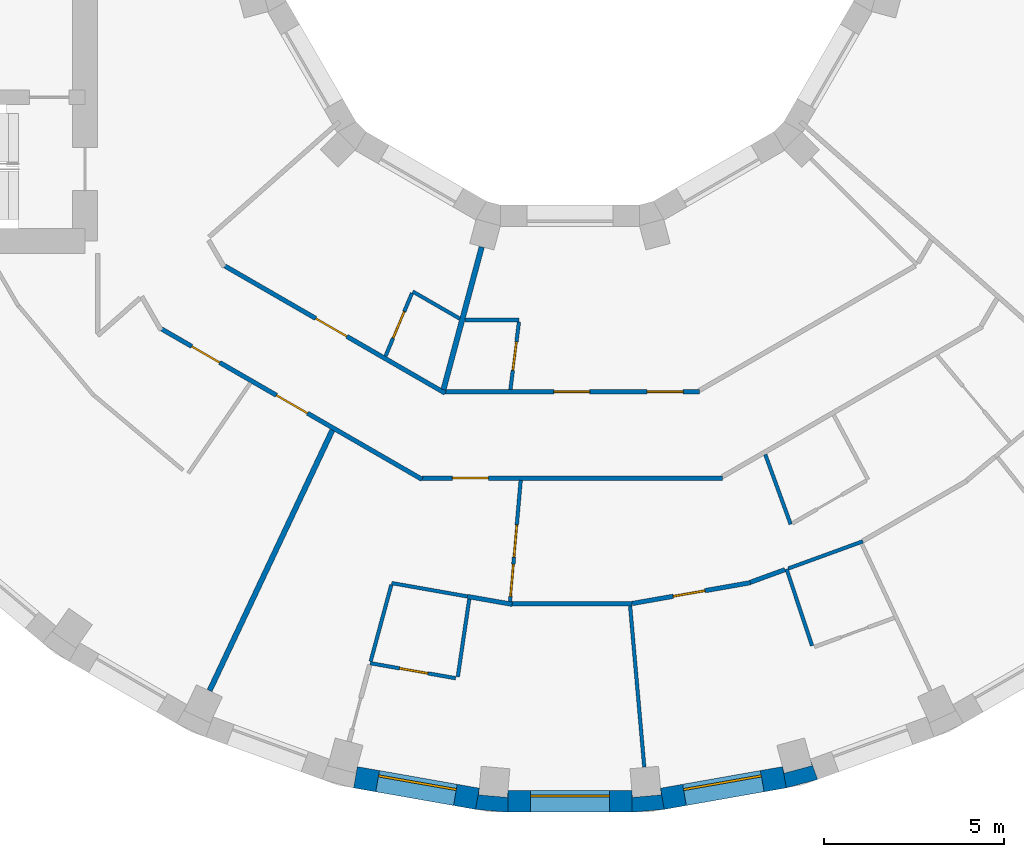
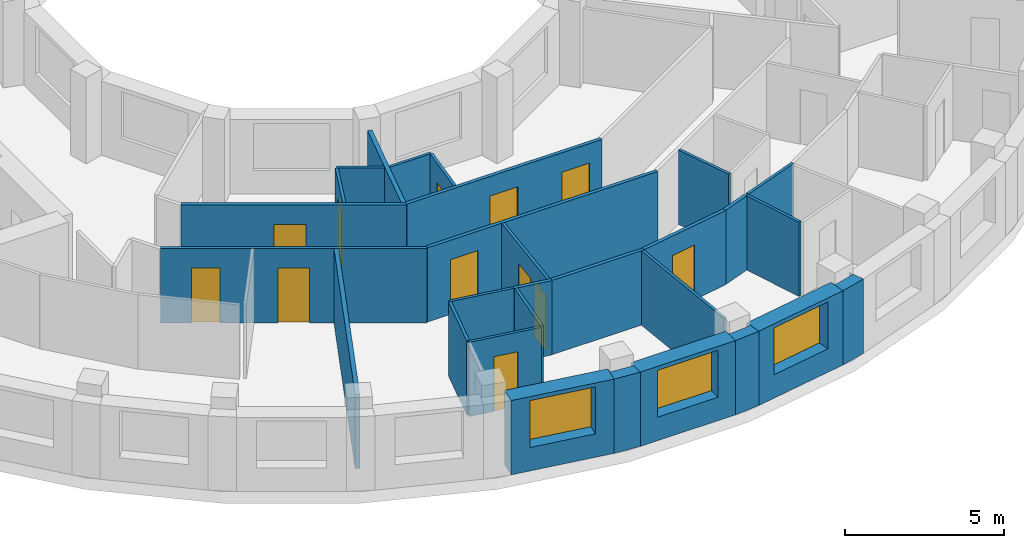
# One storey, part 4 of 13: 29 walls, 12 doors, 3 windows, 15 openings.
"""IFC4 building model written with IfcOpenShell, lengths in metres."""

from ifc_helpers import new_model, si_unit, direction, frame, frame_2d, origin, place, context, subcontext, project, spatial, polyline, rectangle, outline, extrude, material, layer, layer_set, type_object, element, fill, save


model = new_model("IFC4")

# Units and contexts
model_context = context("Model", 3, precision=1e-05, world=origin(), true_north=direction((0.0, 1.0)))
body_context = subcontext(model_context, "Body", "Model", "MODEL_VIEW")
ifc_project = project(units=[si_unit("LENGTHUNIT", "METRE"), si_unit("AREAUNIT", "SQUARE_METRE"), si_unit("VOLUMEUNIT", "CUBIC_METRE"), si_unit("PLANEANGLEUNIT", "RADIAN"), si_unit("MASSUNIT", "GRAM", prefix="KILO")], contexts=[model_context])

# Site, building, storey
site_placement = place(None, origin())
site = spatial("IfcSite", under=ifc_project, at=site_placement, CompositionType="ELEMENT")
building_placement = place(site_placement, origin())
building = spatial("IfcBuilding", under=site, at=building_placement, Name="Saqina Gate Tower", CompositionType="ELEMENT")
storey_placement = place(building_placement, frame((0.0, 0.0, 203.699951171875)))
storey = spatial("IfcBuildingStorey", under=building, at=storey_placement, Name="L58", CompositionType="ELEMENT", Elevation=203.699951171875)

# Walls
ifc_material_1 = material(Name="Brick masonry (buff)", Category="masonry")
wall_type_1 = type_object("IfcWallType", Name="BRICK PIER COPING BUFF", PredefinedType="SOLIDWALL", material=ifc_material_1)
wall_1_placement = place(storey_placement, origin())
element("IfcWall", 1, at=wall_1_placement, inside=storey, type_object=wall_type_1, Name="Pier cap L58 column 27", PredefinedType="SOLIDWALL", context=body_context, shape_type="SweptSolid", body=[
    extrude(outline(polyline([(-2.6259765625, -24.825927734375), (-1.724853515625, -24.90478515625), (-1.724853515625, -24.304931640625), (-1.7412109375, -24.491455078125), (-2.5380859375, -24.421630859375), (-2.521728515625, -24.235107421875), (-2.6259765625, -24.825927734375)])), origin(), (0.0, 0.0, 1.0), 2.85009765625),
])
wall_2_placement = place(storey_placement, origin())
element("IfcWall", 2, at=wall_2_placement, inside=storey, type_object=wall_type_1, Name="Pier cap L58 column 28", PredefinedType="SOLIDWALL", context=body_context, shape_type="SweptSolid", body=[
    extrude(outline(polyline([(1.724853515625, -24.90478515625), (2.6259765625, -24.825927734375), (2.521728515625, -24.235107421875), (2.5380859375, -24.421630859375), (1.7412109375, -24.491455078125), (1.724853515625, -24.304931640625), (1.724853515625, -24.90478515625)])), origin(), (0.0, 0.0, 1.0), 2.85009765625),
])
wall_3_placement = place(storey_placement, origin())
element("IfcWall", 3, at=wall_3_placement, inside=storey, type_object=wall_type_1, Name="Pier cap L58 column 29", PredefinedType="SOLIDWALL", context=body_context, shape_type="SweptSolid", body=[
    extrude(outline(polyline([(6.0234375, -24.22705078125), (6.897216796875, -23.992919921875), (6.69189453125, -23.428955078125), (6.740478515625, -23.610107421875), (5.967529296875, -23.81689453125), (5.919189453125, -23.635986328125), (6.0234375, -24.22705078125)])), origin(), (0.0, 0.0, 1.0), 2.85009765625),
])

# Wall, opening, window
ifc_material_2 = material(Name="Brick masonry (buff)", Category="masonry")
ifc_layer_1 = layer(ifc_material_2, 0.60009765625)
ifc_layer_set_1 = layer_set([ifc_layer_1], Name="FW-BRICK-BUFF")
wall_type_2 = type_object("IfcWallType", Name="FW-BRICK-BUFF", PredefinedType="SOLIDWALL", material=ifc_layer_set_1)
wall_4_placement = place(storey_placement, frame((-5.97119140625, -23.931640625, 0.0), z_axis=(0.0, 0.0, 1.0), x_axis=(0.984814892183, -0.173607684551, 0.0)))
wall_4 = element("IfcWall", 4, at=wall_4_placement, inside=storey, type_object=wall_type_2, Name="Facade wall L58 facet 26", PredefinedType="SOLIDWALL", context=body_context, shape_type="SweptSolid", body=[
    extrude(rectangle(XDim=3.44970703125, YDim=0.60009765625, at=frame_2d((1.724853515625, 0.0))), origin(), (0.0, 0.0, 1.0), 2.85009765625),
])
opening_1_placement = place(wall_4_placement, frame((0.625, 0.0, 0.89990234375)))
opening_1 = element("IfcOpeningElement", 5, at=opening_1_placement, cuts=wall_4, Name="Opening G17-W15", PredefinedType="OPENING", context=body_context, shape_type="SweptSolid", body=[
    extrude(rectangle(XDim=2.199951171875, YDim=1.800048828125, at=frame_2d((1.10009765625, 0.89990234375))), frame((0.0, 0.31201171875, 0.0), z_axis=(0.0, -1.0, 0.0), x_axis=(1.0, 0.0, 0.0)), (0.0, 0.0, 1.0), 0.6240234375),
])
ifc_material_3 = material(Name="Aluminium glazing", Category="aluminium")
window_type = type_object("IfcWindowType", Name="WN-C", PartitioningType="SINGLE_PANEL", PredefinedType="WINDOW", material=ifc_material_3)
window_1_placement = place(opening_1_placement, origin())
window_1 = element("IfcWindow", 6, at=window_1_placement, inside=storey, type_object=window_type, Name="Window L58 facet 26", OverallHeight=1.800048828125, OverallWidth=2.199951171875, PartitioningType="SINGLE_PANEL", PredefinedType="WINDOW", context=body_context, shape_type="SweptSolid", body=[
    extrude(rectangle(XDim=2.199951171875, YDim=1.800048828125, at=frame_2d((1.10009765625, 0.89990234375))), frame((0.0, 0.179931640625, 0.0), z_axis=(0.0, -1.0, 0.0), x_axis=(1.0, 0.0, 0.0)), (0.0, 0.0, 1.0), 0.06005859375),
])
fill(opening_1, window_1)

wall_5_placement = place(storey_placement, frame((-1.724853515625, -24.60498046875, 0.0), z_axis=(0.0, 0.0, 1.0), x_axis=(1.0, 0.0, 0.0)))
wall_5 = element("IfcWall", 7, at=wall_5_placement, inside=storey, type_object=wall_type_2, Name="Facade wall L58 facet 27", PredefinedType="SOLIDWALL", context=body_context, shape_type="SweptSolid", body=[
    extrude(rectangle(XDim=3.44970703125, YDim=0.60009765625, at=frame_2d((1.724853515625, 0.0))), origin(), (0.0, 0.0, 1.0), 2.85009765625),
])
opening_2_placement = place(wall_5_placement, frame((0.625, 0.0, 0.89990234375)))
opening_2 = element("IfcOpeningElement", 8, at=opening_2_placement, cuts=wall_5, Name="Opening G17-W16", PredefinedType="OPENING", context=body_context, shape_type="SweptSolid", body=[
    extrude(rectangle(XDim=2.199951171875, YDim=1.800048828125, at=frame_2d((1.10009765625, 0.89990234375))), frame((0.0, 0.31201171875, 0.0), z_axis=(0.0, -1.0, 0.0), x_axis=(1.0, 0.0, 0.0)), (0.0, 0.0, 1.0), 0.6240234375),
])
window_2_placement = place(opening_2_placement, origin())
window_2 = element("IfcWindow", 9, at=window_2_placement, inside=storey, type_object=window_type, Name="Window L58 facet 27", OverallHeight=1.800048828125, OverallWidth=2.199951171875, PartitioningType="SINGLE_PANEL", PredefinedType="WINDOW", context=body_context, shape_type="SweptSolid", body=[
    extrude(rectangle(XDim=2.199951171875, YDim=1.800048828125, at=frame_2d((1.10009765625, 0.89990234375))), frame((0.0, 0.179931640625, 0.0), z_axis=(0.0, -1.0, 0.0), x_axis=(1.0, 0.0, 0.0)), (0.0, 0.0, 1.0), 0.06005859375),
])
fill(opening_2, window_2)

wall_6_placement = place(storey_placement, frame((2.573974609375, -24.530517578125, 0.0), z_axis=(0.0, 0.0, 1.0), x_axis=(0.984814892183, 0.173607684551, 0.0)))
wall_6 = element("IfcWall", 10, at=wall_6_placement, inside=storey, type_object=wall_type_2, Name="Facade wall L58 facet 28", PredefinedType="SOLIDWALL", context=body_context, shape_type="SweptSolid", body=[
    extrude(rectangle(XDim=3.44970703125, YDim=0.60009765625, at=frame_2d((1.724853515625, 0.0))), origin(), (0.0, 0.0, 1.0), 2.85009765625),
])
opening_3_placement = place(wall_6_placement, frame((0.625, 0.0, 0.89990234375)))
opening_3 = element("IfcOpeningElement", 11, at=opening_3_placement, cuts=wall_6, Name="Opening G17-W17", PredefinedType="OPENING", context=body_context, shape_type="SweptSolid", body=[
    extrude(rectangle(XDim=2.199951171875, YDim=1.800048828125, at=frame_2d((1.10009765625, 0.89990234375))), frame((0.0, 0.31201171875, 0.0), z_axis=(0.0, -1.0, 0.0), x_axis=(1.0, 0.0, 0.0)), (0.0, 0.0, 1.0), 0.6240234375),
])
window_3_placement = place(opening_3_placement, origin())
window_3 = element("IfcWindow", 12, at=window_3_placement, inside=storey, type_object=window_type, Name="Window L58 facet 28", OverallHeight=1.800048828125, OverallWidth=2.199951171875, PartitioningType="SINGLE_PANEL", PredefinedType="WINDOW", context=body_context, shape_type="SweptSolid", body=[
    extrude(rectangle(XDim=2.199951171875, YDim=1.800048828125, at=frame_2d((1.10009765625, 0.89990234375))), frame((0.0, 0.179931640625, 0.0), z_axis=(0.0, -1.0, 0.0), x_axis=(1.0, 0.0, 0.0)), (0.0, 0.0, 1.0), 0.06005859375),
])
fill(opening_3, window_3)

# Walls
ifc_material_4 = material(Name="Gypsum board on steel studs, 100 mm", Category="steel")
ifc_layer_2 = layer(ifc_material_4, 0.10009765625)
ifc_layer_set_2 = layer_set([ifc_layer_2], Name="PARTITION 100")
wall_type_3 = type_object("IfcWallType", Name="PARTITION 100", PredefinedType="PARTITIONING", material=ifc_layer_set_2)
wall_7_placement = place(storey_placement, frame((1.6767578125, -19.167236328125, 0.0), z_axis=(0.0, 0.0, 1.0), x_axis=(0.087521667832, -0.996162616072, 0.0)))
element("IfcWall", 13, at=wall_7_placement, inside=storey, type_object=wall_type_3, Name="PARTITION PW3-01", PredefinedType="PARTITIONING", context=body_context, shape_type="SweptSolid", body=[
    extrude(rectangle(XDim=4.49951171875, YDim=0.10009765625, at=frame_2d((2.249755859375, 0.0))), origin(), (0.0, 0.0, 1.0), 2.85009765625),
])
wall_8_placement = place(storey_placement, frame((6.032958984375, -18.135009765625, 0.0), z_axis=(0.0, 0.0, 1.0), x_axis=(0.316032342538, -0.948748416847, 0.0)))
element("IfcWall", 14, at=wall_8_placement, inside=storey, type_object=wall_type_3, Name="PARTITION PW3-04", PredefinedType="PARTITIONING", context=body_context, shape_type="SweptSolid", body=[
    extrude(rectangle(XDim=2.248779296875, YDim=0.10009765625, at=frame_2d((1.12451171875, 0.0))), origin(), (0.0, 0.0, 1.0), 2.85009765625),
])
wall_9_placement = place(storey_placement, frame((5.439453125, -14.94384765625, 0.0), z_axis=(0.0, 0.0, 1.0), x_axis=(0.341828386263, -0.939762392493, 0.0)))
element("IfcWall", 15, at=wall_9_placement, inside=storey, type_object=wall_type_3, Name="PARTITION PW3-05", PredefinedType="PARTITIONING", context=body_context, shape_type="SweptSolid", body=[
    extrude(rectangle(XDim=2.067626953125, YDim=0.10009765625, at=frame_2d((1.03369140625, 0.0))), origin(), (0.0, 0.0, 1.0), 2.85009765625),
])
wall_10_placement = place(storey_placement, frame((-4.376953125, -10.406005859375, 0.0), z_axis=(0.0, 0.0, 1.0), x_axis=(0.86612113491, -0.499834152157, 0.0)))
element("IfcWall", 16, at=wall_10_placement, inside=storey, type_object=wall_type_3, Name="PARTITION PW3-28", PredefinedType="PARTITIONING", context=body_context, shape_type="SweptSolid", body=[
    extrude(rectangle(XDim=1.513671875, YDim=0.10009765625, at=frame_2d((0.7568359375, 0.0))), origin(), (0.0, 0.0, 1.0), 2.85009765625),
])

# Wall, opening, door
wall_11_placement = place(storey_placement, frame((-5.56103515625, -20.75390625, 0.0), z_axis=(0.0, 0.0, 1.0), x_axis=(0.984794734974, -0.173721990456, 0.0)))
wall_11 = element("IfcWall", 17, at=wall_11_placement, inside=storey, type_object=wall_type_3, Name="PARTITION PW3-35", PredefinedType="PARTITIONING", context=body_context, shape_type="SweptSolid", body=[
    extrude(rectangle(XDim=2.418701171875, YDim=0.10009765625, at=frame_2d((1.20947265625, 0.0))), origin(), (0.0, 0.0, 1.0), 2.85009765625),
])
opening_4_placement = place(wall_11_placement, frame((0.833740234375, 0.0, 0.0)))
opening_4 = element("IfcOpeningElement", 18, at=opening_4_placement, cuts=wall_11, Name="Opening G17-D32", PredefinedType="OPENING", context=body_context, shape_type="SweptSolid", body=[
    extrude(rectangle(XDim=0.800048828125, YDim=2.10009765625, at=frame_2d((0.39990234375, 1.050048828125))), frame((0.0, 0.06201171875, 0.0), z_axis=(0.0, -1.0, 0.0), x_axis=(1.0, 0.0, 0.0)), (0.0, 0.0, 1.0), 0.1240234375),
])
ifc_material_5 = material(Name="Timber door leaf, 800 mm", Category="wood")
door_type_1 = type_object("IfcDoorType", Name="DOOR 800 TIMBER", OperationType="SINGLE_SWING_LEFT", PredefinedType="DOOR", material=ifc_material_5)
door_1_placement = place(opening_4_placement, frame((0.800048828125, 0.0, 0.0), z_axis=(0.0, 0.0, 1.0), x_axis=(-1.0, 0.0, 0.0)))
door_1 = element("IfcDoor", 19, at=door_1_placement, inside=storey, type_object=door_type_1, Name="DOOR G17-D32", OperationType="SINGLE_SWING_LEFT", OverallHeight=2.10009765625, OverallWidth=0.800048828125, PredefinedType="DOOR", context=body_context, shape_type="SweptSolid", body=[
    extrude(rectangle(XDim=0.800048828125, YDim=2.10009765625, at=frame_2d((0.39990234375, 1.050048828125))), frame((0.0, 0.02490234375, 0.0), z_axis=(0.0, -1.0, 0.0), x_axis=(1.0, 0.0, 0.0)), (0.0, 0.0, 1.0), 0.050048828125),
])
fill(opening_4, door_1)

# Walls
wall_12_placement = place(storey_placement, frame((-4.962890625, -18.524169921875, 0.0), z_axis=(0.0, 0.0, 1.0), x_axis=(0.984783558818, -0.173785333909, 0.0)))
element("IfcWall", 20, at=wall_12_placement, inside=storey, type_object=wall_type_3, Name="PARTITION PW3-36", PredefinedType="PARTITIONING", context=body_context, shape_type="SweptSolid", body=[
    extrude(rectangle(XDim=2.140869140625, YDim=0.10009765625, at=frame_2d((1.0703125, 0.0))), origin(), (0.0, 0.0, 1.0), 2.85009765625),
])
wall_13_placement = place(storey_placement, frame((-2.926025390625, -11.199951171875, 0.0), z_axis=(0.0, 0.0, 1.0), x_axis=(1.0, 0.0, 0.0)))
element("IfcWall", 21, at=wall_13_placement, inside=storey, type_object=wall_type_3, Name="PARTITION PW3-37", PredefinedType="PARTITIONING", context=body_context, shape_type="SweptSolid", body=[
    extrude(rectangle(XDim=1.513916015625, YDim=0.10009765625, at=frame_2d((0.7568359375, 0.0))), origin(), (0.0, 0.0, 1.0), 2.85009765625),
])
wall_14_placement = place(storey_placement, frame((6.080078125, -18.117919921875, 0.0), z_axis=(0.0, 0.0, 1.0), x_axis=(0.939706230865, 0.341982747625, 0.0)))
element("IfcWall", 22, at=wall_14_placement, inside=storey, type_object=wall_type_3, Name="PARTITION PW3-40", PredefinedType="PARTITIONING", context=body_context, shape_type="SweptSolid", body=[
    extrude(rectangle(XDim=2.2080078125, YDim=0.10009765625, at=frame_2d((1.10400390625, 0.0))), origin(), (0.0, 0.0, 1.0), 2.85009765625),
])

# Wall, opening, door
wall_15_placement = place(storey_placement, frame((-5.134521484375, -12.2060546875, 0.0), z_axis=(0.0, 0.0, 1.0), x_axis=(0.387856236325, 0.921719881495, 0.0)))
wall_15 = element("IfcWall", 23, at=wall_15_placement, inside=storey, type_object=wall_type_3, Name="PARTITION PW3-63", PredefinedType="PARTITIONING", context=body_context, shape_type="SweptSolid", body=[
    extrude(rectangle(XDim=1.90283203125, YDim=0.10009765625, at=frame_2d((0.951416015625, 0.0))), origin(), (0.0, 0.0, 1.0), 2.85009765625),
])
opening_5_placement = place(wall_15_placement, frame((0.544921875, 0.0, 0.0)))
opening_5 = element("IfcOpeningElement", 24, at=opening_5_placement, cuts=wall_15, Name="Opening G17-D30", PredefinedType="OPENING", context=body_context, shape_type="SweptSolid", body=[
    extrude(rectangle(XDim=0.800048828125, YDim=2.10009765625, at=frame_2d((0.39990234375, 1.050048828125))), frame((0.0, 0.06201171875, 0.0), z_axis=(0.0, -1.0, 0.0), x_axis=(1.0, 0.0, 0.0)), (0.0, 0.0, 1.0), 0.1240234375),
])
door_2_placement = place(opening_5_placement, origin())
door_2 = element("IfcDoor", 25, at=door_2_placement, inside=storey, type_object=door_type_1, Name="DOOR G17-D30", OperationType="SINGLE_SWING_LEFT", OverallHeight=2.10009765625, OverallWidth=0.800048828125, PredefinedType="DOOR", context=body_context, shape_type="SweptSolid", body=[
    extrude(rectangle(XDim=0.800048828125, YDim=2.10009765625, at=frame_2d((0.39990234375, 1.050048828125))), frame((0.0, 0.02490234375, 0.0), z_axis=(0.0, -1.0, 0.0), x_axis=(1.0, 0.0, 0.0)), (0.0, 0.0, 1.0), 0.050048828125),
])
fill(opening_5, door_2)

# Walls
wall_16_placement = place(storey_placement, frame((-5.5478515625, -20.705810546875, 0.0), z_axis=(0.0, 0.0, 1.0), x_axis=(0.260881182377, 0.965370917669, 0.0)))
element("IfcWall", 26, at=wall_16_placement, inside=storey, type_object=wall_type_3, Name="PARTITION PW3-64", PredefinedType="PARTITIONING", context=body_context, shape_type="SweptSolid", body=[
    extrude(rectangle(XDim=2.20849609375, YDim=0.10009765625, at=frame_2d((1.104248046875, 0.0))), origin(), (0.0, 0.0, 1.0), 2.85009765625),
])
wall_17_placement = place(storey_placement, frame((-3.12158203125, -21.133544921875, 0.0), z_axis=(0.0, 0.0, 1.0), x_axis=(0.145934022426, 0.989294324809, 0.0)))
element("IfcWall", 27, at=wall_17_placement, inside=storey, type_object=wall_type_3, Name="PARTITION PW3-66", PredefinedType="PARTITIONING", context=body_context, shape_type="SweptSolid", body=[
    extrude(rectangle(XDim=2.188232421875, YDim=0.10009765625, at=frame_2d((1.09423828125, 0.0))), origin(), (0.0, 0.0, 1.0), 2.85009765625),
])

# Wall, opening, door
wall_18_placement = place(storey_placement, frame((-1.65625, -13.137939453125, 0.0), z_axis=(0.0, 0.0, 1.0), x_axis=(0.125060808232, 0.992149078639, 0.0)))
wall_18 = element("IfcWall", 28, at=wall_18_placement, inside=storey, type_object=wall_type_3, Name="PARTITION PW3-67", PredefinedType="PARTITIONING", context=body_context, shape_type="SweptSolid", body=[
    extrude(rectangle(XDim=1.9033203125, YDim=0.10009765625, at=frame_2d((0.95166015625, 0.0))), origin(), (0.0, 0.0, 1.0), 2.85009765625),
])
opening_6_placement = place(wall_18_placement, frame((0.54541015625, 0.0, 0.0)))
opening_6 = element("IfcOpeningElement", 29, at=opening_6_placement, cuts=wall_18, Name="Opening G17-D34", PredefinedType="OPENING", context=body_context, shape_type="SweptSolid", body=[
    extrude(rectangle(XDim=0.800048828125, YDim=2.10009765625, at=frame_2d((0.39990234375, 1.050048828125))), frame((0.0, 0.06201171875, 0.0), z_axis=(0.0, -1.0, 0.0), x_axis=(1.0, 0.0, 0.0)), (0.0, 0.0, 1.0), 0.1240234375),
])
door_3_placement = place(opening_6_placement, frame((0.800048828125, 0.0, 0.0), z_axis=(0.0, 0.0, 1.0), x_axis=(-1.0, 0.0, 0.0)))
door_3 = element("IfcDoor", 30, at=door_3_placement, inside=storey, type_object=door_type_1, Name="DOOR G17-D34", OperationType="SINGLE_SWING_RIGHT", OverallHeight=2.10009765625, OverallWidth=0.800048828125, PredefinedType="DOOR", context=body_context, shape_type="SweptSolid", body=[
    extrude(rectangle(XDim=0.800048828125, YDim=2.10009765625, at=frame_2d((0.39990234375, 1.050048828125))), frame((0.0, 0.02490234375, 0.0), z_axis=(0.0, -1.0, 0.0), x_axis=(1.0, 0.0, 0.0)), (0.0, 0.0, 1.0), 0.050048828125),
])
fill(opening_6, door_3)

# Wall, openings, doors
wall_19_placement = place(storey_placement, frame((-1.66552734375, -19.042724609375, 0.0), z_axis=(0.0, 0.0, 1.0), x_axis=(0.086986657325, 0.99620947669, 0.0)))
wall_19 = element("IfcWall", 31, at=wall_19_placement, inside=storey, type_object=wall_type_3, Name="PARTITION PW3-68", PredefinedType="PARTITIONING", context=body_context, shape_type="SweptSolid", body=[
    extrude(rectangle(XDim=3.393310546875, YDim=0.10009765625, at=frame_2d((1.69677734375, 0.0))), origin(), (0.0, 0.0, 1.0), 2.85009765625),
])
opening_7_placement = place(wall_19_placement, frame((1.24658203125, 0.0, 0.0)))
opening_7 = element("IfcOpeningElement", 32, at=opening_7_placement, cuts=wall_19, Name="Opening G17-D35", PredefinedType="OPENING", context=body_context, shape_type="SweptSolid", body=[
    extrude(rectangle(XDim=0.89990234375, YDim=2.10009765625, at=frame_2d((0.449951171875, 1.050048828125))), frame((0.0, 0.06201171875, 0.0), z_axis=(0.0, -1.0, 0.0), x_axis=(1.0, 0.0, 0.0)), (0.0, 0.0, 1.0), 0.1240234375),
])
opening_8_placement = place(wall_19_placement, frame((0.146728515625, 0.0, 0.0)))
opening_8 = element("IfcOpeningElement", 33, at=opening_8_placement, cuts=wall_19, Name="Opening G17-D36", PredefinedType="OPENING", context=body_context, shape_type="SweptSolid", body=[
    extrude(rectangle(XDim=0.89990234375, YDim=2.10009765625, at=frame_2d((0.449951171875, 1.050048828125))), frame((0.0, 0.06201171875, 0.0), z_axis=(0.0, -1.0, 0.0), x_axis=(1.0, 0.0, 0.0)), (0.0, 0.0, 1.0), 0.1240234375),
])
ifc_material_6 = material(Name="Timber door leaf, 900 mm", Category="wood")
door_type_2 = type_object("IfcDoorType", Name="DOOR 900 TIMBER", OperationType="SINGLE_SWING_LEFT", PredefinedType="DOOR", material=ifc_material_6)
door_4_placement = place(opening_7_placement, frame((0.89990234375, 0.0, 0.0), z_axis=(0.0, 0.0, 1.0), x_axis=(-1.0, 0.0, 0.0)))
door_4 = element("IfcDoor", 34, at=door_4_placement, inside=storey, type_object=door_type_2, Name="DOOR G17-D35", OperationType="SINGLE_SWING_LEFT", OverallHeight=2.10009765625, OverallWidth=0.89990234375, PredefinedType="DOOR", context=body_context, shape_type="SweptSolid", body=[
    extrude(rectangle(XDim=0.89990234375, YDim=2.10009765625, at=frame_2d((0.449951171875, 1.050048828125))), frame((0.0, 0.02490234375, 0.0), z_axis=(0.0, -1.0, 0.0), x_axis=(1.0, 0.0, 0.0)), (0.0, 0.0, 1.0), 0.050048828125),
])
fill(opening_7, door_4)
door_5_placement = place(opening_8_placement, frame((0.89990234375, 0.0, 0.0), z_axis=(0.0, 0.0, 1.0), x_axis=(-1.0, 0.0, 0.0)))
door_5 = element("IfcDoor", 35, at=door_5_placement, inside=storey, type_object=door_type_2, Name="DOOR G17-D36", OperationType="SINGLE_SWING_RIGHT", OverallHeight=2.10009765625, OverallWidth=0.89990234375, PredefinedType="DOOR", context=body_context, shape_type="SweptSolid", body=[
    extrude(rectangle(XDim=0.89990234375, YDim=2.10009765625, at=frame_2d((0.449951171875, 1.050048828125))), frame((0.0, 0.02490234375, 0.0), z_axis=(0.0, -1.0, 0.0), x_axis=(1.0, 0.0, 0.0)), (0.0, 0.0, 1.0), 0.050048828125),
])
fill(opening_8, door_5)

ifc_material_7 = material(Name="Gypsum board on steel studs, 125 mm, fire rated", Category="steel")
ifc_layer_3 = layer(ifc_material_7, 0.125)
ifc_layer_set_3 = layer_set([ifc_layer_3], Name="PARTITION EI 30 125")
wall_type_4 = type_object("IfcWallType", Name="PARTITION EI 30 125", PredefinedType="PARTITIONING", material=ifc_layer_set_3)
wall_20_placement = place(storey_placement, frame((-11.365966796875, -11.451171875, 0.0), z_axis=(0.0, 0.0, 1.0), x_axis=(0.866023369196, -0.500003523994, 0.0)))
wall_20 = element("IfcWall", 36, at=wall_20_placement, inside=storey, type_object=wall_type_4, Name="PARTITION PW1-16", PredefinedType="PARTITIONING", context=body_context, shape_type="SweptSolid", body=[
    extrude(rectangle(XDim=8.37109375, YDim=0.125, at=frame_2d((4.185546875, 0.0))), origin(), (0.0, 0.0, 1.0), 2.85009765625),
])
opening_9_placement = place(wall_20_placement, frame((0.965576171875, 0.0, 0.0)))
opening_9 = element("IfcOpeningElement", 37, at=opening_9_placement, cuts=wall_20, Name="Opening G17-D27", PredefinedType="OPENING", context=body_context, shape_type="SweptSolid", body=[
    extrude(rectangle(XDim=0.89990234375, YDim=2.10009765625, at=frame_2d((0.449951171875, 1.050048828125))), frame((0.0, 0.074462890625, 0.0), z_axis=(0.0, -1.0, 0.0), x_axis=(1.0, 0.0, 0.0)), (0.0, 0.0, 1.0), 0.14892578125),
])
opening_10_placement = place(wall_20_placement, frame((3.687744140625, 0.0, 0.0)))
opening_10 = element("IfcOpeningElement", 38, at=opening_10_placement, cuts=wall_20, Name="Opening G17-D29", PredefinedType="OPENING", context=body_context, shape_type="SweptSolid", body=[
    extrude(rectangle(XDim=1.0, YDim=2.10009765625, at=frame_2d((0.5, 1.050048828125))), frame((0.0, 0.074462890625, 0.0), z_axis=(0.0, -1.0, 0.0), x_axis=(1.0, 0.0, 0.0)), (0.0, 0.0, 1.0), 0.14892578125),
])
ifc_material_8 = material(Name="Fire door leaf EI 30, 1000 mm")
door_type_3 = type_object("IfcDoorType", Name="DOOR 1000 EI 30", OperationType="SINGLE_SWING_LEFT", PredefinedType="DOOR", material=ifc_material_8)
door_6_placement = place(opening_10_placement, origin())
door_6 = element("IfcDoor", 39, at=door_6_placement, inside=storey, type_object=door_type_3, Name="DOOR G17-D29", OperationType="SINGLE_SWING_RIGHT", OverallHeight=2.10009765625, OverallWidth=1.0, PredefinedType="DOOR", context=body_context, shape_type="SweptSolid", body=[
    extrude(rectangle(XDim=1.0, YDim=2.10009765625, at=frame_2d((0.5, 1.050048828125))), frame((0.0, 0.02490234375, 0.0), z_axis=(0.0, -1.0, 0.0), x_axis=(1.0, 0.0, 0.0)), (0.0, 0.0, 1.0), 0.050048828125),
])
fill(opening_10, door_6)
ifc_material_9 = material(Name="Fire door leaf EI 30, 900 mm")
door_type_4 = type_object("IfcDoorType", Name="DOOR 900 EI 30", OperationType="SINGLE_SWING_LEFT", PredefinedType="DOOR", material=ifc_material_9)
door_7_placement = place(opening_9_placement, frame((0.89990234375, 0.0, 0.0), z_axis=(0.0, 0.0, 1.0), x_axis=(-1.0, 0.0, 0.0)))
door_7 = element("IfcDoor", 40, at=door_7_placement, inside=storey, type_object=door_type_4, Name="DOOR G17-D27", OperationType="SINGLE_SWING_RIGHT", OverallHeight=2.10009765625, OverallWidth=0.89990234375, PredefinedType="DOOR", context=body_context, shape_type="SweptSolid", body=[
    extrude(rectangle(XDim=0.89990234375, YDim=2.10009765625, at=frame_2d((0.449951171875, 1.050048828125))), frame((0.0, 0.02490234375, 0.0), z_axis=(0.0, -1.0, 0.0), x_axis=(1.0, 0.0, 0.0)), (0.0, 0.0, 1.0), 0.050048828125),
])
fill(opening_9, door_7)

# Wall, opening, door
wall_21_placement = place(storey_placement, frame((-9.60888671875, -9.6943359375, 0.0), z_axis=(0.0, 0.0, 1.0), x_axis=(0.866017984103, -0.500012851046, 0.0)))
wall_21 = element("IfcWall", 41, at=wall_21_placement, inside=storey, type_object=wall_type_4, Name="PARTITION PW1-17", PredefinedType="PARTITIONING", context=body_context, shape_type="SweptSolid", body=[
    extrude(rectangle(XDim=7.083251953125, YDim=0.125, at=frame_2d((3.54150390625, 0.0))), origin(), (0.0, 0.0, 1.0), 2.85009765625),
])
opening_11_placement = place(wall_21_placement, frame((2.923095703125, 0.0, 0.0)))
opening_11 = element("IfcOpeningElement", 42, at=opening_11_placement, cuts=wall_21, Name="Opening G17-D28", PredefinedType="OPENING", context=body_context, shape_type="SweptSolid", body=[
    extrude(rectangle(XDim=1.0, YDim=2.10009765625, at=frame_2d((0.5, 1.050048828125))), frame((0.0, 0.074462890625, 0.0), z_axis=(0.0, -1.0, 0.0), x_axis=(1.0, 0.0, 0.0)), (0.0, 0.0, 1.0), 0.14892578125),
])
door_8_placement = place(opening_11_placement, origin())
door_8 = element("IfcDoor", 43, at=door_8_placement, inside=storey, type_object=door_type_3, Name="DOOR G17-D28", OperationType="SINGLE_SWING_LEFT", OverallHeight=2.10009765625, OverallWidth=1.0, PredefinedType="DOOR", context=body_context, shape_type="SweptSolid", body=[
    extrude(rectangle(XDim=1.0, YDim=2.10009765625, at=frame_2d((0.5, 1.050048828125))), frame((0.0, 0.02490234375, 0.0), z_axis=(0.0, -1.0, 0.0), x_axis=(1.0, 0.0, 0.0)), (0.0, 0.0, 1.0), 0.050048828125),
])
fill(opening_11, door_8)

# Walls
wall_22_placement = place(storey_placement, frame((-2.854736328125, -18.897216796875, 0.0), z_axis=(0.0, 0.0, 1.0), x_axis=(0.984944347712, -0.17287172097, 0.0)))
element("IfcWall", 44, at=wall_22_placement, inside=storey, type_object=wall_type_4, Name="PARTITION PW1-19", PredefinedType="PARTITIONING", context=body_context, shape_type="SweptSolid", body=[
    extrude(rectangle(XDim=1.265380859375, YDim=0.125, at=frame_2d((0.6328125, 0.0))), origin(), (0.0, 0.0, 1.0), 2.85009765625),
])
wall_23_placement = place(storey_placement, frame((-1.6083984375, -19.10498046875, 0.0), z_axis=(0.0, 0.0, 1.0), x_axis=(1.0, 0.0, 0.0)))
element("IfcWall", 45, at=wall_23_placement, inside=storey, type_object=wall_type_4, Name="PARTITION PW1-20", PredefinedType="PARTITIONING", context=body_context, shape_type="SweptSolid", body=[
    extrude(rectangle(XDim=3.3427734375, YDim=0.125, at=frame_2d((1.67138671875, 0.0))), origin(), (0.0, 0.0, 1.0), 2.85009765625),
])

# Wall, opening, door
wall_24_placement = place(storey_placement, frame((-4.116455078125, -15.60009765625, 0.0), z_axis=(0.0, 0.0, 1.0), x_axis=(1.0, 0.0, 0.0)))
wall_24 = element("IfcWall", 46, at=wall_24_placement, inside=storey, type_object=wall_type_4, Name="PARTITION PW1-21", PredefinedType="PARTITIONING", context=body_context, shape_type="SweptSolid", body=[
    extrude(rectangle(XDim=8.36865234375, YDim=0.125, at=frame_2d((4.184326171875, 0.0))), origin(), (0.0, 0.0, 1.0), 2.85009765625),
])
opening_12_placement = place(wall_24_placement, frame((0.844482421875, 0.0, 0.0)))
opening_12 = element("IfcOpeningElement", 47, at=opening_12_placement, cuts=wall_24, Name="Opening G17-D33", PredefinedType="OPENING", context=body_context, shape_type="SweptSolid", body=[
    extrude(rectangle(XDim=1.0, YDim=2.10009765625, at=frame_2d((0.5, 1.050048828125))), frame((0.0, 0.074462890625, 0.0), z_axis=(0.0, -1.0, 0.0), x_axis=(1.0, 0.0, 0.0)), (0.0, 0.0, 1.0), 0.14892578125),
])
door_9_placement = place(opening_12_placement, frame((1.0, 0.0, 0.0), z_axis=(0.0, 0.0, 1.0), x_axis=(-1.0, 0.0, 0.0)))
door_9 = element("IfcDoor", 48, at=door_9_placement, inside=storey, type_object=door_type_3, Name="DOOR G17-D33", OperationType="SINGLE_SWING_RIGHT", OverallHeight=2.10009765625, OverallWidth=1.0, PredefinedType="DOOR", context=body_context, shape_type="SweptSolid", body=[
    extrude(rectangle(XDim=1.0, YDim=2.10009765625, at=frame_2d((0.5, 1.050048828125))), frame((0.0, 0.02490234375, 0.0), z_axis=(0.0, -1.0, 0.0), x_axis=(1.0, 0.0, 0.0)), (0.0, 0.0, 1.0), 0.050048828125),
])
fill(opening_12, door_9)

# Wall, openings, doors
wall_25_placement = place(storey_placement, frame((-3.474609375, -13.199951171875, 0.0), z_axis=(0.0, 0.0, 1.0), x_axis=(1.0, 0.0, 0.0)))
wall_25 = element("IfcWall", 49, at=wall_25_placement, inside=storey, type_object=wall_type_4, Name="PARTITION PW1-22", PredefinedType="PARTITIONING", context=body_context, shape_type="SweptSolid", body=[
    extrude(rectangle(XDim=7.083740234375, YDim=0.125, at=frame_2d((3.5419921875, 0.0))), origin(), (0.0, 0.0, 1.0), 2.85009765625),
])
opening_13_placement = place(wall_25_placement, frame((3.025390625, 0.0, 0.0)))
opening_13 = element("IfcOpeningElement", 50, at=opening_13_placement, cuts=wall_25, Name="Opening G17-D37", PredefinedType="OPENING", context=body_context, shape_type="SweptSolid", body=[
    extrude(rectangle(XDim=1.0, YDim=2.10009765625, at=frame_2d((0.5, 1.050048828125))), frame((0.0, 0.074462890625, 0.0), z_axis=(0.0, -1.0, 0.0), x_axis=(1.0, 0.0, 0.0)), (0.0, 0.0, 1.0), 0.14892578125),
])
opening_14_placement = place(wall_25_placement, frame((5.62646484375, 0.0, 0.0)))
opening_14 = element("IfcOpeningElement", 51, at=opening_14_placement, cuts=wall_25, Name="Opening G17-D39", PredefinedType="OPENING", context=body_context, shape_type="SweptSolid", body=[
    extrude(rectangle(XDim=1.0, YDim=2.10009765625, at=frame_2d((0.5, 1.050048828125))), frame((0.0, 0.074462890625, 0.0), z_axis=(0.0, -1.0, 0.0), x_axis=(1.0, 0.0, 0.0)), (0.0, 0.0, 1.0), 0.14892578125),
])
door_10_placement = place(opening_13_placement, origin())
door_10 = element("IfcDoor", 52, at=door_10_placement, inside=storey, type_object=door_type_3, Name="DOOR G17-D37", OperationType="SINGLE_SWING_LEFT", OverallHeight=2.10009765625, OverallWidth=1.0, PredefinedType="DOOR", context=body_context, shape_type="SweptSolid", body=[
    extrude(rectangle(XDim=1.0, YDim=2.10009765625, at=frame_2d((0.5, 1.050048828125))), frame((0.0, 0.02490234375, 0.0), z_axis=(0.0, -1.0, 0.0), x_axis=(1.0, 0.0, 0.0)), (0.0, 0.0, 1.0), 0.050048828125),
])
fill(opening_13, door_10)
door_11_placement = place(opening_14_placement, origin())
door_11 = element("IfcDoor", 53, at=door_11_placement, inside=storey, type_object=door_type_3, Name="DOOR G17-D39", OperationType="SINGLE_SWING_RIGHT", OverallHeight=2.10009765625, OverallWidth=1.0, PredefinedType="DOOR", context=body_context, shape_type="SweptSolid", body=[
    extrude(rectangle(XDim=1.0, YDim=2.10009765625, at=frame_2d((0.5, 1.050048828125))), frame((0.0, 0.02490234375, 0.0), z_axis=(0.0, -1.0, 0.0), x_axis=(1.0, 0.0, 0.0)), (0.0, 0.0, 1.0), 0.050048828125),
])
fill(opening_14, door_11)

# Wall, opening, door
wall_26_placement = place(storey_placement, frame((1.732421875, -19.093994140625, 0.0), z_axis=(0.0, 0.0, 1.0), x_axis=(0.984782824009, 0.173789497774, 0.0)))
wall_26 = element("IfcWall", 54, at=wall_26_placement, inside=storey, type_object=wall_type_4, Name="PARTITION PW1-25", PredefinedType="PARTITIONING", context=body_context, shape_type="SweptSolid", body=[
    extrude(rectangle(XDim=3.3447265625, YDim=0.125, at=frame_2d((1.67236328125, 0.0))), origin(), (0.0, 0.0, 1.0), 2.85009765625),
])
opening_15_placement = place(wall_26_placement, frame((1.159423828125, 0.0, 0.0)))
opening_15 = element("IfcOpeningElement", 55, at=opening_15_placement, cuts=wall_26, Name="Opening G17-D38", PredefinedType="OPENING", context=body_context, shape_type="SweptSolid", body=[
    extrude(rectangle(XDim=0.89990234375, YDim=2.10009765625, at=frame_2d((0.449951171875, 1.050048828125))), frame((0.0, 0.074462890625, 0.0), z_axis=(0.0, -1.0, 0.0), x_axis=(1.0, 0.0, 0.0)), (0.0, 0.0, 1.0), 0.14892578125),
])
door_12_placement = place(opening_15_placement, origin())
door_12 = element("IfcDoor", 56, at=door_12_placement, inside=storey, type_object=door_type_4, Name="DOOR G17-D38", OperationType="SINGLE_SWING_LEFT", OverallHeight=2.10009765625, OverallWidth=0.89990234375, PredefinedType="DOOR", context=body_context, shape_type="SweptSolid", body=[
    extrude(rectangle(XDim=0.89990234375, YDim=2.10009765625, at=frame_2d((0.449951171875, 1.050048828125))), frame((0.0, 0.02490234375, 0.0), z_axis=(0.0, -1.0, 0.0), x_axis=(1.0, 0.0, 0.0)), (0.0, 0.0, 1.0), 0.050048828125),
])
fill(opening_15, door_12)

# Walls
wall_27_placement = place(storey_placement, frame((5.022705078125, -18.502685546875, 0.0), z_axis=(0.0, 0.0, 1.0), x_axis=(0.939605522223, 0.34225934992, 0.0)))
element("IfcWall", 57, at=wall_27_placement, inside=storey, type_object=wall_type_4, Name="PARTITION PW1-26", PredefinedType="PARTITIONING", context=body_context, shape_type="SweptSolid", body=[
    extrude(rectangle(XDim=1.025146484375, YDim=0.125, at=frame_2d((0.5126953125, 0.0))), origin(), (0.0, 0.0, 1.0), 2.85009765625),
])
ifc_material_10 = material(Name="Gypsum board on steel studs, 150 mm, fire rated", Category="steel")
ifc_layer_4 = layer(ifc_material_10, 0.14990234375)
ifc_layer_set_4 = layer_set([ifc_layer_4], Name="PARTITION EI 60 150")
wall_type_5 = type_object("IfcWallType", Name="PARTITION EI 60 150", PredefinedType="PARTITIONING", material=ifc_layer_set_4)
wall_28_placement = place(storey_placement, frame((-10.03125, -21.5166015625, 0.0), z_axis=(0.0, 0.0, 1.0), x_axis=(0.426351254657, 0.904557686194, 0.0)))
element("IfcWall", 58, at=wall_28_placement, inside=storey, type_object=wall_type_5, Name="PARTITION PW2-05", PredefinedType="PARTITIONING", context=body_context, shape_type="SweptSolid", body=[
    extrude(rectangle(XDim=8.017822265625, YDim=0.14990234375, at=frame_2d((4.0087890625, 0.0))), origin(), (0.0, 0.0, 1.0), 2.85009765625),
])
wall_29_placement = place(storey_placement, frame((-3.520751953125, -13.1396484375, 0.0), z_axis=(0.0, 0.0, 1.0), x_axis=(0.258863724951, 0.965913853252, 0.0)))
element("IfcWall", 59, at=wall_29_placement, inside=storey, type_object=wall_type_5, Name="PARTITION PW2-07", PredefinedType="PARTITIONING", context=body_context, shape_type="SweptSolid", body=[
    extrude(rectangle(XDim=4.111083984375, YDim=0.14990234375, at=frame_2d((2.0556640625, 0.0))), origin(), (0.0, 0.0, 1.0), 2.85009765625),
])

save(model, "model.ifc")
